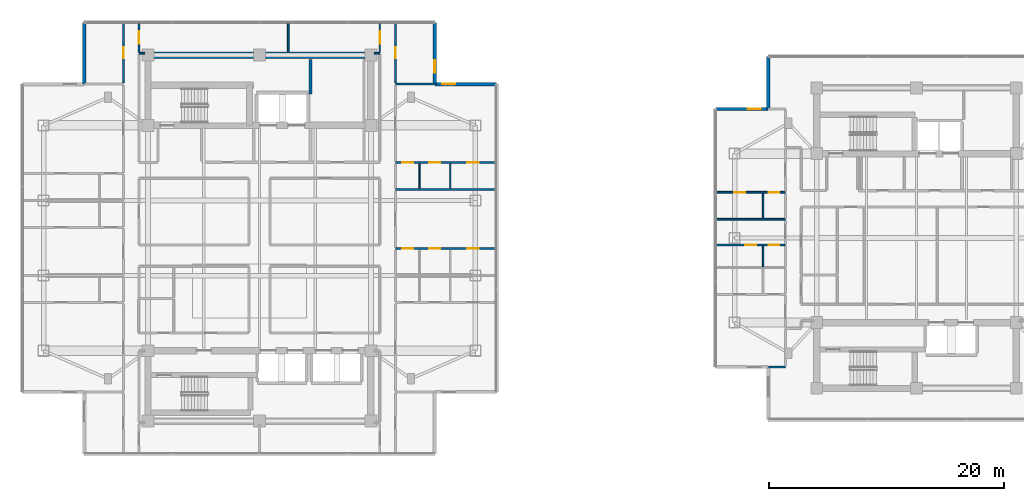
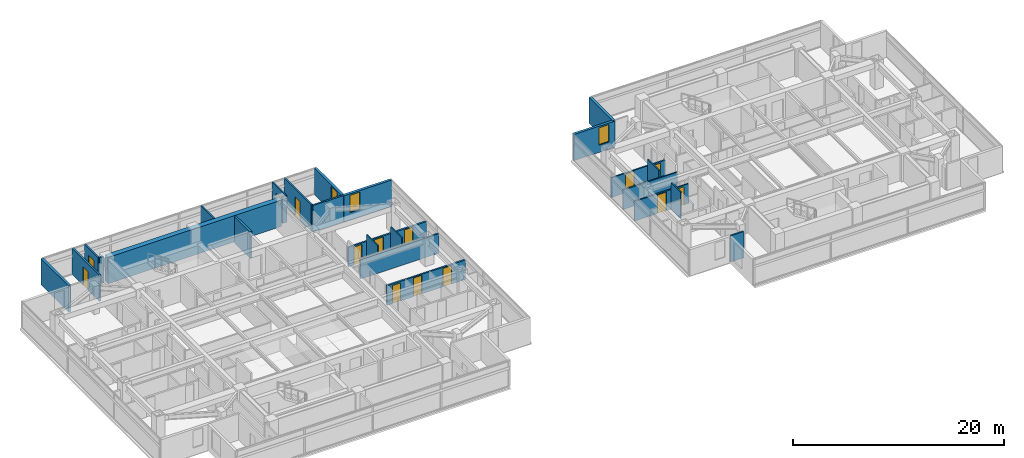
# One storey, part 15 of 24: 26 walls, 14 doors, 3 windows, 17 openings.
"""IFC4 building model written with IfcOpenShell, lengths in metres."""

from ifc_helpers import new_model, si_unit, direction, frame, frame_2d, origin, place, context, subcontext, project, spatial, rectangle, extrude, material, layer, layer_set, type_object, element, fill, save


model = new_model("IFC4")

# Units and contexts
model_context = context("Model", 3, precision=1e-05, world=origin(), true_north=direction((0.0, 1.0)))
body_context = subcontext(model_context, "Body", "Model", "MODEL_VIEW")
ifc_project = project(units=[si_unit("LENGTHUNIT", "METRE"), si_unit("AREAUNIT", "SQUARE_METRE"), si_unit("VOLUMEUNIT", "CUBIC_METRE"), si_unit("PLANEANGLEUNIT", "RADIAN"), si_unit("MASSUNIT", "GRAM", prefix="KILO")], contexts=[model_context])

# Site, building, storey
site_placement = place(None, origin())
site = spatial("IfcSite", under=ifc_project, at=site_placement, CompositionType="ELEMENT")
building_placement = place(site_placement, origin())
building = spatial("IfcBuilding", under=site, at=building_placement, Name="Mirazonda Arch Towers", CompositionType="ELEMENT")
storey_placement = place(building_placement, frame((0.0, 0.0, 160.89990234375)))
storey = spatial("IfcBuildingStorey", under=building, at=storey_placement, Name="L45", CompositionType="ELEMENT", Elevation=160.89990234375)

# Wall
ifc_material_1 = material(Name="Concrete C50/60", Category="concrete")
ifc_layer_1 = layer(ifc_material_1, 0.550048828125, Name="WALL-CORE-550")
ifc_layer_set_1 = layer_set([ifc_layer_1], Name="Concrete C50/60")
wall_type_1 = type_object("IfcWallType", Name="WALL-CORE-550", PredefinedType="SHEAR", material=ifc_layer_set_1)
wall_1_placement = place(storey_placement, frame((11.0, 43.60009765625, 0.0), z_axis=(0.0, 0.0, 1.0), x_axis=(1.0, 0.0, 0.0)))
element("IfcWall", 1, at=wall_1_placement, inside=storey, type_object=wall_type_1, Name="L45 T1N-N Core Shear Wall", PredefinedType="SHEAR", context=body_context, shape_type="SweptSolid", body=[
    extrude(rectangle(XDim=19.0, YDim=0.550048828125, at=frame_2d((9.5, 0.0))), origin(), (0.0, 0.0, 1.0), 3.050048828125),
])

# Wall, opening, window
ifc_material_2 = material(Name="Precast Concrete C40/50", Category="concrete")
ifc_layer_2 = layer(ifc_material_2, 0.280029296875, Name="WALL-EXT-WALL-280")
ifc_layer_set_2 = layer_set([ifc_layer_2], Name="Precast Concrete C40/50")
wall_type_2 = type_object("IfcWallType", Name="WALL-EXT-WALL-280", PredefinedType="SOLIDWALL", material=ifc_layer_set_2)
wall_2_placement = place(storey_placement, frame((35.445068359375, 41.12109375, 0.0), z_axis=(0.0, 0.0, 1.0), x_axis=(0.0, 1.0, 0.0)))
wall_2 = element("IfcWall", 2, at=wall_2_placement, inside=storey, type_object=wall_type_2, Name="L45 T1 Notched NE Corner Wall WL-L45-T1-CNE", PredefinedType="SOLIDWALL", context=body_context, shape_type="SweptSolid", body=[
    extrude(rectangle(XDim=5.244873046875, YDim=0.280029296875, at=frame_2d((2.62255859375, 0.0))), origin(), (0.0, 0.0, 1.0), 3.030029296875),
])
opening_1_placement = place(wall_2_placement, frame((0.949951171875, 0.0, 0.85009765625)))
opening_1 = element("IfcOpeningElement", 3, at=opening_1_placement, cuts=wall_2, Name="Opening WN-108", PredefinedType="OPENING", context=body_context, shape_type="SweptSolid", body=[
    extrude(rectangle(XDim=1.10009765625, YDim=2.0, at=frame_2d((0.550048828125, 1.0))), frame((0.0, 0.14990234375, 0.0), z_axis=(0.0, -1.0, 0.0), x_axis=(1.0, 0.0, 0.0)), (0.0, 0.0, 1.0), 0.300048828125),
])
ifc_material_3 = material(Name="Insulated Low-E Solar Glass", Category="glass")
window_type = type_object("IfcWindowType", Name="WIN-NOTCH-1100x2000", PartitioningType="SINGLE_PANEL", PredefinedType="WINDOW", material=ifc_material_3)
window_1_placement = place(opening_1_placement, origin())
window_1 = element("IfcWindow", 4, at=window_1_placement, inside=storey, type_object=window_type, Name="L45 Punched Facade Window WN-L45-T1-CNE", OverallHeight=2.0, OverallWidth=1.10009765625, PartitioningType="SINGLE_PANEL", PredefinedType="WINDOW", context=body_context, shape_type="SweptSolid", body=[
    extrude(rectangle(XDim=1.10009765625, YDim=2.0, at=frame_2d((0.550048828125, 1.0))), frame((0.0, 0.030029296875, 0.0), z_axis=(0.0, -1.0, 0.0), x_axis=(1.0, 0.0, 0.0)), (0.0, 0.0, 1.0), 0.06005859375),
])
fill(opening_1, window_1)

# Wall
wall_3_placement = place(storey_placement, frame((5.554931640625, 46.365966796875, 0.0), z_axis=(0.0, 0.0, 1.0), x_axis=(0.0, -1.0, 0.0)))
element("IfcWall", 5, at=wall_3_placement, inside=storey, type_object=wall_type_2, Name="L45 T1 Corner Notch Return Wall WL-L45-T1-CNW2", PredefinedType="SOLIDWALL", context=body_context, shape_type="SweptSolid", body=[
    extrude(rectangle(XDim=5.244873046875, YDim=0.280029296875, at=frame_2d((2.62255859375, 0.0))), origin(), (0.0, 0.0, 1.0), 3.030029296875),
])

# Wall, opening, window
wall_4_placement = place(storey_placement, frame((40.68994140625, 41.12109375, 0.0), z_axis=(0.0, 0.0, 1.0), x_axis=(-1.0, 0.0, 0.0)))
wall_4 = element("IfcWall", 6, at=wall_4_placement, inside=storey, type_object=wall_type_2, Name="L45 T1 Corner Notch Return Wall WL-L45-T1-CNE2", PredefinedType="SOLIDWALL", context=body_context, shape_type="SweptSolid", body=[
    extrude(rectangle(XDim=5.244873046875, YDim=0.280029296875, at=frame_2d((2.62255859375, 0.0))), origin(), (0.0, 0.0, 1.0), 3.030029296875),
])
opening_2_placement = place(wall_4_placement, frame((3.4951171875, 0.0, 0.85009765625)))
opening_2 = element("IfcOpeningElement", 7, at=opening_2_placement, cuts=wall_4, Name="Opening WN-108", PredefinedType="OPENING", context=body_context, shape_type="SweptSolid", body=[
    extrude(rectangle(XDim=1.10009765625, YDim=2.0, at=frame_2d((0.550048828125, 1.0))), frame((0.0, 0.14990234375, 0.0), z_axis=(0.0, -1.0, 0.0), x_axis=(1.0, 0.0, 0.0)), (0.0, 0.0, 1.0), 0.300048828125),
])
window_2_placement = place(opening_2_placement, origin())
window_2 = element("IfcWindow", 8, at=window_2_placement, inside=storey, type_object=window_type, Name="L45 Punched Facade Window WN-L45-T1-CNE2", OverallHeight=2.0, OverallWidth=1.10009765625, PartitioningType="SINGLE_PANEL", PredefinedType="WINDOW", context=body_context, shape_type="SweptSolid", body=[
    extrude(rectangle(XDim=1.10009765625, YDim=2.0, at=frame_2d((0.550048828125, 1.0))), frame((0.0, 0.030029296875, 0.0), z_axis=(0.0, -1.0, 0.0), x_axis=(1.0, 0.0, 0.0)), (0.0, 0.0, 1.0), 0.06005859375),
])
fill(opening_2, window_2)

wall_5_placement = place(storey_placement, frame((63.856689453125, 38.992919921875, 0.0), z_axis=(0.0, 0.0, 1.0), x_axis=(-1.0, 0.0, 0.0)))
wall_5 = element("IfcWall", 9, at=wall_5_placement, inside=storey, type_object=wall_type_2, Name="L45 T2 Corner Notch Return Wall WL-L45-T2-CNW1", PredefinedType="SOLIDWALL", context=body_context, shape_type="SweptSolid", body=[
    extrude(rectangle(XDim=4.465087890625, YDim=0.280029296875, at=frame_2d((2.232421875, 0.0))), origin(), (0.0, 0.0, 1.0), 3.030029296875),
])
opening_3_placement = place(wall_5_placement, frame((0.64990234375, 0.0, 0.85009765625)))
opening_3 = element("IfcOpeningElement", 10, at=opening_3_placement, cuts=wall_5, Name="Opening WN-108", PredefinedType="OPENING", context=body_context, shape_type="SweptSolid", body=[
    extrude(rectangle(XDim=1.10009765625, YDim=2.0, at=frame_2d((0.550048828125, 1.0))), frame((0.0, 0.14990234375, 0.0), z_axis=(0.0, -1.0, 0.0), x_axis=(1.0, 0.0, 0.0)), (0.0, 0.0, 1.0), 0.300048828125),
])
window_3_placement = place(opening_3_placement, origin())
window_3 = element("IfcWindow", 11, at=window_3_placement, inside=storey, type_object=window_type, Name="L45 Punched Facade Window WN-L45-T2-CNW1", OverallHeight=2.0, OverallWidth=1.10009765625, PartitioningType="SINGLE_PANEL", PredefinedType="WINDOW", context=body_context, shape_type="SweptSolid", body=[
    extrude(rectangle(XDim=1.10009765625, YDim=2.0, at=frame_2d((0.550048828125, 1.0))), frame((0.0, 0.030029296875, 0.0), z_axis=(0.0, -1.0, 0.0), x_axis=(1.0, 0.0, 0.0)), (0.0, 0.0, 1.0), 0.06005859375),
])
fill(opening_3, window_3)

# Walls
wall_6_placement = place(storey_placement, frame((63.856689453125, 43.4580078125, 0.0), z_axis=(0.0, 0.0, 1.0), x_axis=(0.0, -1.0, 0.0)))
element("IfcWall", 12, at=wall_6_placement, inside=storey, type_object=wall_type_2, Name="L45 T2 Corner Notch Return Wall WL-L45-T2-CNW2", PredefinedType="SOLIDWALL", context=body_context, shape_type="SweptSolid", body=[
    extrude(rectangle(XDim=4.465087890625, YDim=0.280029296875, at=frame_2d((2.232421875, 0.0))), origin(), (0.0, 0.0, 1.0), 3.030029296875),
])
ifc_material_4 = material(Name="Concrete C40/50", Category="concrete")
ifc_layer_3 = layer(ifc_material_4, 0.219970703125, Name="WALL-FFL-220")
ifc_layer_set_3 = layer_set([ifc_layer_3], Name="Concrete C40/50")
wall_type_3 = type_object("IfcWallType", Name="WALL-FFL-220", PredefinedType="SOLIDWALL", material=ifc_layer_set_3)
wall_7_placement = place(storey_placement, frame((24.85009765625, 40.260009765625, 0.0), z_axis=(0.0, 0.0, 1.0), x_axis=(0.0, 1.0, 0.0)))
element("IfcWall", 13, at=wall_7_placement, inside=storey, type_object=wall_type_3, Name="L45 Interior Partition 101", PredefinedType="SOLIDWALL", context=body_context, shape_type="SweptSolid", body=[
    extrude(rectangle(XDim=2.93994140625, YDim=0.219970703125, at=frame_2d((1.469970703125, 0.0))), origin(), (0.0, 0.0, 1.0), 3.050048828125),
])

# Wall, openings, doors
ifc_material_5 = material(Name="Fire-Rated Gypsum Stud Partition")
ifc_layer_4 = layer(ifc_material_5, 0.14990234375, Name="WALL-PART-CORR-150")
ifc_layer_set_4 = layer_set([ifc_layer_4], Name="Fire-Rated Gypsum Stud Partition")
wall_type_4 = type_object("IfcWallType", Name="WALL-PART-CORR-150", PredefinedType="PARTITIONING", material=ifc_layer_set_4)
wall_8_placement = place(storey_placement, frame((59.39208984375, 27.412109375, 0.0), z_axis=(0.0, 0.0, 1.0), x_axis=(1.0, 0.0, 0.0)))
wall_8 = element("IfcWall", 14, at=wall_8_placement, inside=storey, type_object=wall_type_4, Name="L45 Interior Partition 036", PredefinedType="PARTITIONING", context=body_context, shape_type="SweptSolid", body=[
    extrude(rectangle(XDim=5.927978515625, YDim=0.14990234375, at=frame_2d((2.9638671875, 0.0))), origin(), (0.0, 0.0, 1.0), 2.26904296875),
])
opening_4_placement = place(wall_8_placement, frame((2.510498046875, 0.0, 0.0)))
opening_4 = element("IfcOpeningElement", 15, at=opening_4_placement, cuts=wall_8, Name="Opening DR-104", PredefinedType="OPENING", context=body_context, shape_type="SweptSolid", body=[
    extrude(rectangle(XDim=0.949951171875, YDim=2.14990234375, at=frame_2d((0.47509765625, 1.074951171875))), frame((0.0, 0.0849609375, 0.0), z_axis=(0.0, -1.0, 0.0), x_axis=(1.0, 0.0, 0.0)), (0.0, 0.0, 1.0), 0.169921875),
])
opening_5_placement = place(wall_8_placement, frame((4.509521484375, 0.0, 0.0)))
opening_5 = element("IfcOpeningElement", 16, at=opening_5_placement, cuts=wall_8, Name="Opening DR-120", PredefinedType="OPENING", context=body_context, shape_type="SweptSolid", body=[
    extrude(rectangle(XDim=0.89990234375, YDim=2.10009765625, at=frame_2d((0.449951171875, 1.050048828125))), frame((0.0, 0.0849609375, 0.0), z_axis=(0.0, -1.0, 0.0), x_axis=(1.0, 0.0, 0.0)), (0.0, 0.0, 1.0), 0.169921875),
])
ifc_material_6 = material(Name="Architectural Brushed Steel S355", Category="steel")
door_type_1 = type_object("IfcDoorType", Name="DOOR-ROOM-950", OperationType="NOTDEFINED", PredefinedType="DOOR", material=ifc_material_6)
door_1_placement = place(opening_4_placement, origin())
door_1 = element("IfcDoor", 17, at=door_1_placement, inside=storey, type_object=door_type_1, Name="L45 Studio 2 Galley Kitchen Door", OperationType="SINGLE_SWING_LEFT", OverallHeight=2.14990234375, OverallWidth=0.949951171875, PredefinedType="DOOR", context=body_context, shape_type="SweptSolid", body=[
    extrude(rectangle(XDim=0.949951171875, YDim=2.14990234375, at=frame_2d((0.47509765625, 1.074951171875))), frame((0.0, 0.02490234375, 0.0), z_axis=(0.0, -1.0, 0.0), x_axis=(1.0, 0.0, 0.0)), (0.0, 0.0, 1.0), 0.050048828125),
])
fill(opening_4, door_1)
door_type_2 = type_object("IfcDoorType", Name="DOOR-WC-900", OperationType="NOTDEFINED", PredefinedType="DOOR", material=ifc_material_6)
door_2_placement = place(opening_5_placement, origin())
door_2 = element("IfcDoor", 18, at=door_2_placement, inside=storey, type_object=door_type_2, Name="L45 Studio 2 Bathroom Door", OperationType="SINGLE_SWING_RIGHT", OverallHeight=2.10009765625, OverallWidth=0.89990234375, PredefinedType="DOOR", context=body_context, shape_type="SweptSolid", body=[
    extrude(rectangle(XDim=0.89990234375, YDim=2.10009765625, at=frame_2d((0.449951171875, 1.050048828125))), frame((0.0, 0.02490234375, 0.0), z_axis=(0.0, -1.0, 0.0), x_axis=(1.0, 0.0, 0.0)), (0.0, 0.0, 1.0), 0.050048828125),
])
fill(opening_5, door_2)

# Wall
wall_9_placement = place(storey_placement, frame((59.39208984375, 29.595947265625, 0.0), z_axis=(0.0, 0.0, 1.0), x_axis=(1.0, 0.0, 0.0)))
element("IfcWall", 19, at=wall_9_placement, inside=storey, type_object=wall_type_4, Name="L45 Interior Partition 039", PredefinedType="PARTITIONING", context=body_context, shape_type="SweptSolid", body=[
    extrude(rectangle(XDim=5.927978515625, YDim=0.14990234375, at=frame_2d((2.9638671875, 0.0))), origin(), (0.0, 0.0, 1.0), 2.26904296875),
])

# Wall, openings, doors
wall_10_placement = place(storey_placement, frame((59.39208984375, 31.89599609375, 0.0), z_axis=(0.0, 0.0, 1.0), x_axis=(1.0, 0.0, 0.0)))
wall_10 = element("IfcWall", 20, at=wall_10_placement, inside=storey, type_object=wall_type_4, Name="L45 Interior Partition 043", PredefinedType="PARTITIONING", context=body_context, shape_type="SweptSolid", body=[
    extrude(rectangle(XDim=5.927978515625, YDim=0.14990234375, at=frame_2d((2.9638671875, 0.0))), origin(), (0.0, 0.0, 1.0), 2.26904296875),
])
opening_6_placement = place(wall_10_placement, frame((1.560546875, 0.0, 0.0)))
opening_6 = element("IfcOpeningElement", 21, at=opening_6_placement, cuts=wall_10, Name="Opening DR-104", PredefinedType="OPENING", context=body_context, shape_type="SweptSolid", body=[
    extrude(rectangle(XDim=0.949951171875, YDim=2.14990234375, at=frame_2d((0.47509765625, 1.074951171875))), frame((0.0, 0.0849609375, 0.0), z_axis=(0.0, -1.0, 0.0), x_axis=(1.0, 0.0, 0.0)), (0.0, 0.0, 1.0), 0.169921875),
])
opening_7_placement = place(wall_10_placement, frame((4.509521484375, 0.0, 0.0)))
opening_7 = element("IfcOpeningElement", 22, at=opening_7_placement, cuts=wall_10, Name="Opening DR-120", PredefinedType="OPENING", context=body_context, shape_type="SweptSolid", body=[
    extrude(rectangle(XDim=0.89990234375, YDim=2.10009765625, at=frame_2d((0.449951171875, 1.050048828125))), frame((0.0, 0.0849609375, 0.0), z_axis=(0.0, -1.0, 0.0), x_axis=(1.0, 0.0, 0.0)), (0.0, 0.0, 1.0), 0.169921875),
])
door_3_placement = place(opening_6_placement, origin())
door_3 = element("IfcDoor", 23, at=door_3_placement, inside=storey, type_object=door_type_1, Name="L45 Studio 3 Galley Kitchen Door", OperationType="SINGLE_SWING_RIGHT", OverallHeight=2.14990234375, OverallWidth=0.949951171875, PredefinedType="DOOR", context=body_context, shape_type="SweptSolid", body=[
    extrude(rectangle(XDim=0.949951171875, YDim=2.14990234375, at=frame_2d((0.47509765625, 1.074951171875))), frame((0.0, 0.02490234375, 0.0), z_axis=(0.0, -1.0, 0.0), x_axis=(1.0, 0.0, 0.0)), (0.0, 0.0, 1.0), 0.050048828125),
])
fill(opening_6, door_3)
door_4_placement = place(opening_7_placement, origin())
door_4 = element("IfcDoor", 24, at=door_4_placement, inside=storey, type_object=door_type_2, Name="L45 Studio 3 Bathroom Door", OperationType="SINGLE_SWING_LEFT", OverallHeight=2.10009765625, OverallWidth=0.89990234375, PredefinedType="DOOR", context=body_context, shape_type="SweptSolid", body=[
    extrude(rectangle(XDim=0.89990234375, YDim=2.10009765625, at=frame_2d((0.449951171875, 1.050048828125))), frame((0.0, 0.02490234375, 0.0), z_axis=(0.0, -1.0, 0.0), x_axis=(1.0, 0.0, 0.0)), (0.0, 0.0, 1.0), 0.050048828125),
])
fill(opening_7, door_4)

# Walls
for number, where, z_axis, x_axis, name in (
    (25, (10.239990234375, 43.75, 0.0), (0.0, 0.0, 1.0), (1.0, 0.0, 0.0), "L45 Interior Partition 062"),
    (26, (30.27001953125, 43.75, 0.0), (0.0, 0.0, 1.0), (1.0, 0.0, 0.0), "L45 Interior Partition 063"),
):
    element("IfcWall", number, at=place(storey_placement, frame(where, z_axis=z_axis, x_axis=x_axis)), inside=storey, type_object=wall_type_4, Name=name, PredefinedType="PARTITIONING", context=body_context, shape_type="SweptSolid", body=[
        extrude(rectangle(XDim=0.489990234375, YDim=0.14990234375, at=frame_2d((0.2451171875, 0.0))), origin(), (0.0, 0.0, 1.0), 3.050048828125),
    ])

# Wall, opening, door
wall_11_placement = place(storey_placement, frame((10.239990234375, 43.8349609375, 0.0), z_axis=(0.0, 0.0, 1.0), x_axis=(0.0, 1.0, 0.0)))
wall_11 = element("IfcWall", 27, at=wall_11_placement, inside=storey, type_object=wall_type_4, Name="L45 Interior Partition 081", PredefinedType="PARTITIONING", context=body_context, shape_type="SweptSolid", body=[
    extrude(rectangle(XDim=2.531005859375, YDim=0.14990234375, at=frame_2d((1.265625, 0.0))), origin(), (0.0, 0.0, 1.0), 3.050048828125),
])
opening_8_placement = place(wall_11_placement, frame((0.740478515625, 0.0, 0.0)))
opening_8 = element("IfcOpeningElement", 28, at=opening_8_placement, cuts=wall_11, Name="Opening DR-121", PredefinedType="OPENING", context=body_context, shape_type="SweptSolid", body=[
    extrude(rectangle(XDim=1.050048828125, YDim=2.199951171875, at=frame_2d((0.52490234375, 1.10009765625))), frame((0.0, 0.0849609375, 0.0), z_axis=(0.0, -1.0, 0.0), x_axis=(1.0, 0.0, 0.0)), (0.0, 0.0, 1.0), 0.169921875),
])
door_type_3 = type_object("IfcDoorType", Name="DOOR-SUITE-FD60-1050", OperationType="NOTDEFINED", PredefinedType="DOOR", material=ifc_material_6)
door_5_placement = place(opening_8_placement, origin())
door_5 = element("IfcDoor", 29, at=door_5_placement, inside=storey, type_object=door_type_3, Name="L45 North Bay Sunroom West Door", OperationType="SINGLE_SWING_LEFT", OverallHeight=2.199951171875, OverallWidth=1.050048828125, PredefinedType="DOOR", context=body_context, shape_type="SweptSolid", body=[
    extrude(rectangle(XDim=1.050048828125, YDim=2.199951171875, at=frame_2d((0.52490234375, 1.10009765625))), frame((0.0, 0.02490234375, 0.0), z_axis=(0.0, -1.0, 0.0), x_axis=(1.0, 0.0, 0.0)), (0.0, 0.0, 1.0), 0.050048828125),
])
fill(opening_8, door_5)

# Wall
wall_12_placement = place(storey_placement, frame((22.9619140625, 43.8701171875, 0.0), z_axis=(0.0, 0.0, 1.0), x_axis=(0.0, 1.0, 0.0)))
element("IfcWall", 30, at=wall_12_placement, inside=storey, type_object=wall_type_4, Name="L45 Interior Partition 096", PredefinedType="PARTITIONING", context=body_context, shape_type="SweptSolid", body=[
    extrude(rectangle(XDim=2.495849609375, YDim=0.14990234375, at=frame_2d((1.248046875, 0.0))), origin(), (0.0, 0.0, 1.0), 3.050048828125),
])

# Wall, opening, door
wall_13_placement = place(storey_placement, frame((30.760009765625, 43.8349609375, 0.0), z_axis=(0.0, 0.0, 1.0), x_axis=(0.0, 1.0, 0.0)))
wall_13 = element("IfcWall", 31, at=wall_13_placement, inside=storey, type_object=wall_type_4, Name="L45 Interior Partition 110", PredefinedType="PARTITIONING", context=body_context, shape_type="SweptSolid", body=[
    extrude(rectangle(XDim=2.531005859375, YDim=0.14990234375, at=frame_2d((1.265625, 0.0))), origin(), (0.0, 0.0, 1.0), 3.050048828125),
])
opening_9_placement = place(wall_13_placement, frame((0.740478515625, 0.0, 0.0)))
opening_9 = element("IfcOpeningElement", 32, at=opening_9_placement, cuts=wall_13, Name="Opening DR-121", PredefinedType="OPENING", context=body_context, shape_type="SweptSolid", body=[
    extrude(rectangle(XDim=1.050048828125, YDim=2.199951171875, at=frame_2d((0.52490234375, 1.10009765625))), frame((0.0, 0.0849609375, 0.0), z_axis=(0.0, -1.0, 0.0), x_axis=(1.0, 0.0, 0.0)), (0.0, 0.0, 1.0), 0.169921875),
])
door_6_placement = place(opening_9_placement, origin())
door_6 = element("IfcDoor", 33, at=door_6_placement, inside=storey, type_object=door_type_3, Name="L45 North Bay Sunroom East Door", OperationType="SINGLE_SWING_RIGHT", OverallHeight=2.199951171875, OverallWidth=1.050048828125, PredefinedType="DOOR", context=body_context, shape_type="SweptSolid", body=[
    extrude(rectangle(XDim=1.050048828125, YDim=2.199951171875, at=frame_2d((0.52490234375, 1.10009765625))), frame((0.0, 0.02490234375, 0.0), z_axis=(0.0, -1.0, 0.0), x_axis=(1.0, 0.0, 0.0)), (0.0, 0.0, 1.0), 0.050048828125),
])
fill(opening_9, door_6)

# Wall
ifc_material_7 = material(Name="Fire-Rated Gypsum Twin-Stud Assembly")
ifc_layer_5 = layer(ifc_material_7, 0.179931640625, Name="WALL-PART-DEMISE-180")
ifc_layer_set_5 = layer_set([ifc_layer_5], Name="Fire-Rated Gypsum Twin-Stud Assembly")
wall_type_5 = type_object("IfcWallType", Name="WALL-PART-DEMISE-180", PredefinedType="PARTITIONING", material=ifc_layer_set_5)
wall_14_placement = place(storey_placement, frame((63.876708984375, 17.007080078125, 0.0), z_axis=(0.0, 0.0, 1.0), x_axis=(1.0, 0.0, 0.0)))
element("IfcWall", 34, at=wall_14_placement, inside=storey, type_object=wall_type_5, Name="L45 Interior Partition 009", PredefinedType="PARTITIONING", context=body_context, shape_type="SweptSolid", body=[
    extrude(rectangle(XDim=1.443359375, YDim=0.179931640625, at=frame_2d((0.7216796875, 0.0))), origin(), (0.0, 0.0, 1.0), 3.050048828125),
])

# Wall, openings, doors
wall_15_placement = place(storey_placement, frame((32.10009765625, 27.10009765625, 0.0), z_axis=(0.0, 0.0, 1.0), x_axis=(1.0, 0.0, 0.0)))
wall_15 = element("IfcWall", 35, at=wall_15_placement, inside=storey, type_object=wall_type_5, Name="L45 Interior Partition 033", PredefinedType="PARTITIONING", context=body_context, shape_type="SweptSolid", body=[
    extrude(rectangle(XDim=8.58984375, YDim=0.179931640625, at=frame_2d((4.294921875, 0.0))), origin(), (0.0, 0.0, 1.0), 2.26904296875),
])
opening_10_placement = place(wall_15_placement, frame((6.1298828125, 0.0, 0.0)))
opening_10 = element("IfcOpeningElement", 36, at=opening_10_placement, cuts=wall_15, Name="Opening DR-104", PredefinedType="OPENING", context=body_context, shape_type="SweptSolid", body=[
    extrude(rectangle(XDim=0.949951171875, YDim=2.14990234375, at=frame_2d((0.47509765625, 1.074951171875))), frame((0.0, 0.099853515625, 0.0), z_axis=(0.0, -1.0, 0.0), x_axis=(1.0, 0.0, 0.0)), (0.0, 0.0, 1.0), 0.199951171875),
])
opening_11_placement = place(wall_15_placement, frame((2.875, 0.0, 0.0)))
opening_11 = element("IfcOpeningElement", 37, at=opening_11_placement, cuts=wall_15, Name="Opening DR-104", PredefinedType="OPENING", context=body_context, shape_type="SweptSolid", body=[
    extrude(rectangle(XDim=0.949951171875, YDim=2.14990234375, at=frame_2d((0.47509765625, 1.074951171875))), frame((0.0, 0.099853515625, 0.0), z_axis=(0.0, -1.0, 0.0), x_axis=(1.0, 0.0, 0.0)), (0.0, 0.0, 1.0), 0.199951171875),
])
opening_12_placement = place(wall_15_placement, frame((0.590087890625, 0.0, 0.0)))
opening_12 = element("IfcOpeningElement", 38, at=opening_12_placement, cuts=wall_15, Name="Opening DR-120", PredefinedType="OPENING", context=body_context, shape_type="SweptSolid", body=[
    extrude(rectangle(XDim=0.89990234375, YDim=2.10009765625, at=frame_2d((0.449951171875, 1.050048828125))), frame((0.0, 0.099853515625, 0.0), z_axis=(0.0, -1.0, 0.0), x_axis=(1.0, 0.0, 0.0)), (0.0, 0.0, 1.0), 0.199951171875),
])
door_7_placement = place(opening_10_placement, origin())
door_7 = element("IfcDoor", 39, at=door_7_placement, inside=storey, type_object=door_type_1, Name="L45 Residence 2 Principal Bedroom Door", OperationType="SINGLE_SWING_RIGHT", OverallHeight=2.14990234375, OverallWidth=0.949951171875, PredefinedType="DOOR", context=body_context, shape_type="SweptSolid", body=[
    extrude(rectangle(XDim=0.949951171875, YDim=2.14990234375, at=frame_2d((0.47509765625, 1.074951171875))), frame((0.0, 0.02490234375, 0.0), z_axis=(0.0, -1.0, 0.0), x_axis=(1.0, 0.0, 0.0)), (0.0, 0.0, 1.0), 0.050048828125),
])
fill(opening_10, door_7)
door_8_placement = place(opening_11_placement, origin())
door_8 = element("IfcDoor", 40, at=door_8_placement, inside=storey, type_object=door_type_1, Name="L45 Residence 2 Fitted Kitchen Door", OperationType="SINGLE_SWING_LEFT", OverallHeight=2.14990234375, OverallWidth=0.949951171875, PredefinedType="DOOR", context=body_context, shape_type="SweptSolid", body=[
    extrude(rectangle(XDim=0.949951171875, YDim=2.14990234375, at=frame_2d((0.47509765625, 1.074951171875))), frame((0.0, 0.02490234375, 0.0), z_axis=(0.0, -1.0, 0.0), x_axis=(1.0, 0.0, 0.0)), (0.0, 0.0, 1.0), 0.050048828125),
])
fill(opening_11, door_8)
door_9_placement = place(opening_12_placement, origin())
door_9 = element("IfcDoor", 41, at=door_9_placement, inside=storey, type_object=door_type_2, Name="L45 Residence 2 Bathroom Door", OperationType="SINGLE_SWING_RIGHT", OverallHeight=2.10009765625, OverallWidth=0.89990234375, PredefinedType="DOOR", context=body_context, shape_type="SweptSolid", body=[
    extrude(rectangle(XDim=0.89990234375, YDim=2.10009765625, at=frame_2d((0.449951171875, 1.050048828125))), frame((0.0, 0.02490234375, 0.0), z_axis=(0.0, -1.0, 0.0), x_axis=(1.0, 0.0, 0.0)), (0.0, 0.0, 1.0), 0.050048828125),
])
fill(opening_12, door_9)

# Wall
wall_16_placement = place(storey_placement, frame((32.10009765625, 32.126953125, 0.0), z_axis=(0.0, 0.0, 1.0), x_axis=(1.0, 0.0, 0.0)))
element("IfcWall", 42, at=wall_16_placement, inside=storey, type_object=wall_type_5, Name="L45 Interior Partition 044", PredefinedType="PARTITIONING", context=body_context, shape_type="SweptSolid", body=[
    extrude(rectangle(XDim=8.58984375, YDim=0.179931640625, at=frame_2d((4.294921875, 0.0))), origin(), (0.0, 0.0, 1.0), 2.26904296875),
])

# Wall, openings, doors
wall_17_placement = place(storey_placement, frame((32.10009765625, 34.427001953125, 0.0), z_axis=(0.0, 0.0, 1.0), x_axis=(1.0, 0.0, 0.0)))
wall_17 = element("IfcWall", 43, at=wall_17_placement, inside=storey, type_object=wall_type_5, Name="L45 Interior Partition 050", PredefinedType="PARTITIONING", context=body_context, shape_type="SweptSolid", body=[
    extrude(rectangle(XDim=8.58984375, YDim=0.179931640625, at=frame_2d((4.294921875, 0.0))), origin(), (0.0, 0.0, 1.0), 2.26904296875),
])
opening_13_placement = place(wall_17_placement, frame((6.1298828125, 0.0, 0.0)))
opening_13 = element("IfcOpeningElement", 44, at=opening_13_placement, cuts=wall_17, Name="Opening DR-104", PredefinedType="OPENING", context=body_context, shape_type="SweptSolid", body=[
    extrude(rectangle(XDim=0.949951171875, YDim=2.14990234375, at=frame_2d((0.47509765625, 1.074951171875))), frame((0.0, 0.099853515625, 0.0), z_axis=(0.0, -1.0, 0.0), x_axis=(1.0, 0.0, 0.0)), (0.0, 0.0, 1.0), 0.199951171875),
])
opening_14_placement = place(wall_17_placement, frame((2.875, 0.0, 0.0)))
opening_14 = element("IfcOpeningElement", 45, at=opening_14_placement, cuts=wall_17, Name="Opening DR-104", PredefinedType="OPENING", context=body_context, shape_type="SweptSolid", body=[
    extrude(rectangle(XDim=0.949951171875, YDim=2.14990234375, at=frame_2d((0.47509765625, 1.074951171875))), frame((0.0, 0.099853515625, 0.0), z_axis=(0.0, -1.0, 0.0), x_axis=(1.0, 0.0, 0.0)), (0.0, 0.0, 1.0), 0.199951171875),
])
opening_15_placement = place(wall_17_placement, frame((0.590087890625, 0.0, 0.0)))
opening_15 = element("IfcOpeningElement", 46, at=opening_15_placement, cuts=wall_17, Name="Opening DR-120", PredefinedType="OPENING", context=body_context, shape_type="SweptSolid", body=[
    extrude(rectangle(XDim=0.89990234375, YDim=2.10009765625, at=frame_2d((0.449951171875, 1.050048828125))), frame((0.0, 0.099853515625, 0.0), z_axis=(0.0, -1.0, 0.0), x_axis=(1.0, 0.0, 0.0)), (0.0, 0.0, 1.0), 0.199951171875),
])
door_10_placement = place(opening_13_placement, origin())
door_10 = element("IfcDoor", 47, at=door_10_placement, inside=storey, type_object=door_type_1, Name="L45 Residence 3 Principal Bedroom Door", OperationType="SINGLE_SWING_RIGHT", OverallHeight=2.14990234375, OverallWidth=0.949951171875, PredefinedType="DOOR", context=body_context, shape_type="SweptSolid", body=[
    extrude(rectangle(XDim=0.949951171875, YDim=2.14990234375, at=frame_2d((0.47509765625, 1.074951171875))), frame((0.0, 0.02490234375, 0.0), z_axis=(0.0, -1.0, 0.0), x_axis=(1.0, 0.0, 0.0)), (0.0, 0.0, 1.0), 0.050048828125),
])
fill(opening_13, door_10)
door_11_placement = place(opening_14_placement, origin())
door_11 = element("IfcDoor", 48, at=door_11_placement, inside=storey, type_object=door_type_1, Name="L45 Residence 3 Fitted Kitchen Door", OperationType="SINGLE_SWING_LEFT", OverallHeight=2.14990234375, OverallWidth=0.949951171875, PredefinedType="DOOR", context=body_context, shape_type="SweptSolid", body=[
    extrude(rectangle(XDim=0.949951171875, YDim=2.14990234375, at=frame_2d((0.47509765625, 1.074951171875))), frame((0.0, 0.02490234375, 0.0), z_axis=(0.0, -1.0, 0.0), x_axis=(1.0, 0.0, 0.0)), (0.0, 0.0, 1.0), 0.050048828125),
])
fill(opening_14, door_11)
door_12_placement = place(opening_15_placement, origin())
door_12 = element("IfcDoor", 49, at=door_12_placement, inside=storey, type_object=door_type_2, Name="L45 Residence 3 Bathroom Door", OperationType="SINGLE_SWING_RIGHT", OverallHeight=2.10009765625, OverallWidth=0.89990234375, PredefinedType="DOOR", context=body_context, shape_type="SweptSolid", body=[
    extrude(rectangle(XDim=0.89990234375, YDim=2.10009765625, at=frame_2d((0.449951171875, 1.050048828125))), frame((0.0, 0.02490234375, 0.0), z_axis=(0.0, -1.0, 0.0), x_axis=(1.0, 0.0, 0.0)), (0.0, 0.0, 1.0), 0.050048828125),
])
fill(opening_15, door_12)

# Wall
wall_18_placement = place(storey_placement, frame((32.10009765625, 41.12109375, 0.0), z_axis=(0.0, 0.0, 1.0), x_axis=(1.0, 0.0, 0.0)))
element("IfcWall", 50, at=wall_18_placement, inside=storey, type_object=wall_type_5, Name="L45 Interior Partition 061", PredefinedType="PARTITIONING", context=body_context, shape_type="SweptSolid", body=[
    extrude(rectangle(XDim=3.324951171875, YDim=0.179931640625, at=frame_2d((1.66259765625, 0.0))), origin(), (0.0, 0.0, 1.0), 3.050048828125),
])

# Wall, opening, door
wall_19_placement = place(storey_placement, frame((8.89990234375, 41.220947265625, 0.0), z_axis=(0.0, 0.0, 1.0), x_axis=(0.0, 1.0, 0.0)))
wall_19 = element("IfcWall", 51, at=wall_19_placement, inside=storey, type_object=wall_type_5, Name="L45 Interior Partition 074", PredefinedType="PARTITIONING", context=body_context, shape_type="SweptSolid", body=[
    extrude(rectangle(XDim=5.14501953125, YDim=0.179931640625, at=frame_2d((2.572509765625, 0.0))), origin(), (0.0, 0.0, 1.0), 3.050048828125),
])
opening_16_placement = place(wall_19_placement, frame((2.097412109375, 0.0, 0.0)))
opening_16 = element("IfcOpeningElement", 52, at=opening_16_placement, cuts=wall_19, Name="Opening DR-104", PredefinedType="OPENING", context=body_context, shape_type="SweptSolid", body=[
    extrude(rectangle(XDim=0.949951171875, YDim=2.14990234375, at=frame_2d((0.47509765625, 1.074951171875))), frame((0.0, 0.099853515625, 0.0), z_axis=(0.0, -1.0, 0.0), x_axis=(1.0, 0.0, 0.0)), (0.0, 0.0, 1.0), 0.199951171875),
])
door_13_placement = place(opening_16_placement, origin())
door_13 = element("IfcDoor", 53, at=door_13_placement, inside=storey, type_object=door_type_1, Name="L45 North Bay Sunroom Alcove West Door", OperationType="SINGLE_SWING_LEFT", OverallHeight=2.14990234375, OverallWidth=0.949951171875, PredefinedType="DOOR", context=body_context, shape_type="SweptSolid", body=[
    extrude(rectangle(XDim=0.949951171875, YDim=2.14990234375, at=frame_2d((0.47509765625, 1.074951171875))), frame((0.0, 0.02490234375, 0.0), z_axis=(0.0, -1.0, 0.0), x_axis=(1.0, 0.0, 0.0)), (0.0, 0.0, 1.0), 0.050048828125),
])
fill(opening_16, door_13)

wall_20_placement = place(storey_placement, frame((32.10009765625, 41.220947265625, 0.0), z_axis=(0.0, 0.0, 1.0), x_axis=(0.0, 1.0, 0.0)))
wall_20 = element("IfcWall", 54, at=wall_20_placement, inside=storey, type_object=wall_type_5, Name="L45 Interior Partition 118", PredefinedType="PARTITIONING", context=body_context, shape_type="SweptSolid", body=[
    extrude(rectangle(XDim=5.14501953125, YDim=0.179931640625, at=frame_2d((2.572509765625, 0.0))), origin(), (0.0, 0.0, 1.0), 3.050048828125),
])
opening_17_placement = place(wall_20_placement, frame((2.097412109375, 0.0, 0.0)))
opening_17 = element("IfcOpeningElement", 55, at=opening_17_placement, cuts=wall_20, Name="Opening DR-104", PredefinedType="OPENING", context=body_context, shape_type="SweptSolid", body=[
    extrude(rectangle(XDim=0.949951171875, YDim=2.14990234375, at=frame_2d((0.47509765625, 1.074951171875))), frame((0.0, 0.099853515625, 0.0), z_axis=(0.0, -1.0, 0.0), x_axis=(1.0, 0.0, 0.0)), (0.0, 0.0, 1.0), 0.199951171875),
])
door_14_placement = place(opening_17_placement, origin())
door_14 = element("IfcDoor", 56, at=door_14_placement, inside=storey, type_object=door_type_1, Name="L45 North Bay Sunroom Alcove East Door", OperationType="SINGLE_SWING_RIGHT", OverallHeight=2.14990234375, OverallWidth=0.949951171875, PredefinedType="DOOR", context=body_context, shape_type="SweptSolid", body=[
    extrude(rectangle(XDim=0.949951171875, YDim=2.14990234375, at=frame_2d((0.47509765625, 1.074951171875))), frame((0.0, 0.02490234375, 0.0), z_axis=(0.0, -1.0, 0.0), x_axis=(1.0, 0.0, 0.0)), (0.0, 0.0, 1.0), 0.050048828125),
])
fill(opening_17, door_14)

# Walls
ifc_material_8 = material(Name="Acoustic Fire-Rated Gypsum Partition")
ifc_layer_6 = layer(ifc_material_8, 0.125, Name="WALL-PART-UNIT-125")
ifc_layer_set_6 = layer_set([ifc_layer_6], Name="Acoustic Fire-Rated Gypsum Partition")
wall_type_6 = type_object("IfcWallType", Name="WALL-PART-UNIT-125", PredefinedType="PARTITIONING", material=ifc_layer_set_6)
for number, where, z_axis, x_axis, name in (
    (57, (34.139892578125, 32.22705078125, 0.0), (0.0, 0.0, 1.0), (0.0, 1.0, 0.0), "L45 Interior Partition 121"),
    (58, (36.760009765625, 32.22705078125, 0.0), (0.0, 0.0, 1.0), (0.0, 1.0, 0.0), "L45 Interior Partition 124"),
):
    element("IfcWall", number, at=place(storey_placement, frame(where, z_axis=z_axis, x_axis=x_axis)), inside=storey, type_object=wall_type_6, Name=name, PredefinedType="PARTITIONING", context=body_context, shape_type="SweptSolid", body=[
        extrude(rectangle(XDim=2.099853515625, YDim=0.125, at=frame_2d((1.0498046875, 0.0))), origin(), (0.0, 0.0, 1.0), 3.050048828125),
    ])
wall_21_placement = place(storey_placement, frame((63.423095703125, 25.564453125, 0.0), z_axis=(0.0, 0.0, 1.0), x_axis=(0.0, 1.0, 0.0)))
element("IfcWall", 59, at=wall_21_placement, inside=storey, type_object=wall_type_6, Name="L45 Interior Partition 126", PredefinedType="PARTITIONING", context=body_context, shape_type="SweptSolid", body=[
    extrude(rectangle(XDim=1.762451171875, YDim=0.125, at=frame_2d((0.88134765625, 0.0))), origin(), (0.0, 0.0, 1.0), 3.050048828125),
])
wall_22_placement = place(storey_placement, frame((63.423095703125, 29.680908203125, 0.0), z_axis=(0.0, 0.0, 1.0), x_axis=(0.0, 1.0, 0.0)))
element("IfcWall", 60, at=wall_22_placement, inside=storey, type_object=wall_type_6, Name="L45 Interior Partition 127", PredefinedType="PARTITIONING", context=body_context, shape_type="SweptSolid", body=[
    extrude(rectangle(XDim=2.130126953125, YDim=0.125, at=frame_2d((1.06494140625, 0.0))), origin(), (0.0, 0.0, 1.0), 3.050048828125),
])

save(model, "model.ifc")
